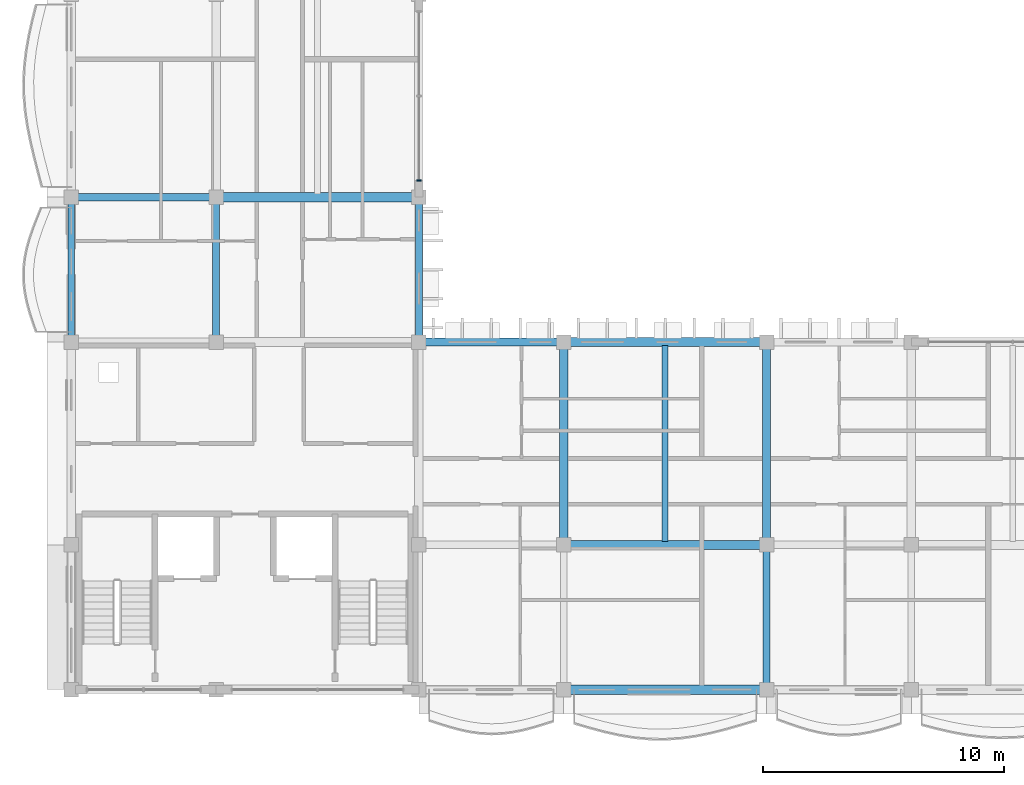
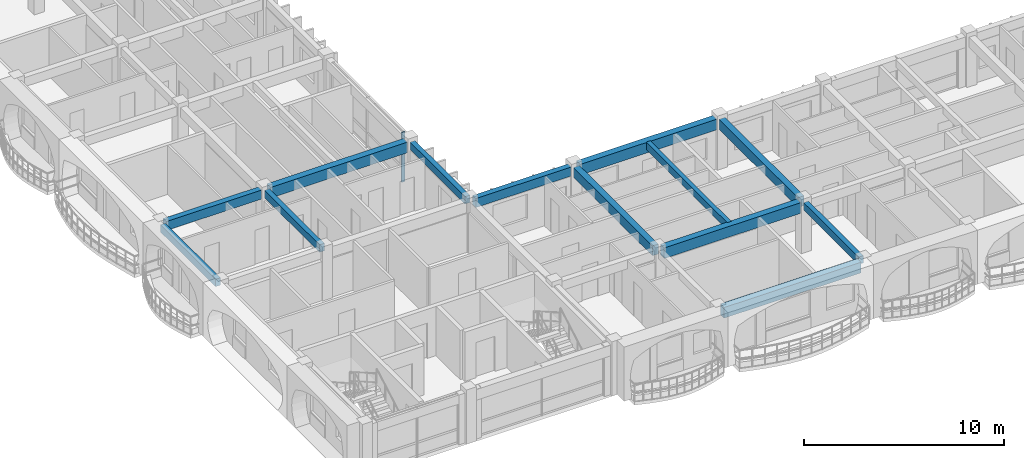
# One storey, part 4 of 79: 13 beams, 1 member, 1 element without a shape of its own.
"""IFC4 building model written with IfcOpenShell, lengths in metres."""

from ifc_helpers import new_model, si_unit, direction, frame, origin, origin_2d, place, context, subcontext, project, spatial, rectangle, extrude, material, material_profile, profile_set, type_object, element, aggregate, save


model = new_model("IFC4")

# Units and contexts
model_context = context("Model", 3, precision=1e-05, world=origin(), true_north=direction((0.0, 1.0)))
body_context = subcontext(model_context, "Body", "Model", "MODEL_VIEW")
ifc_project = project(units=[si_unit("LENGTHUNIT", "METRE"), si_unit("AREAUNIT", "SQUARE_METRE"), si_unit("VOLUMEUNIT", "CUBIC_METRE"), si_unit("PLANEANGLEUNIT", "RADIAN"), si_unit("MASSUNIT", "GRAM", prefix="KILO"), si_unit("THERMODYNAMICTEMPERATUREUNIT", "KELVIN")], contexts=[model_context])

# Site, building, storey
site_placement = place(None, origin())
site = spatial("IfcSite", under=ifc_project, at=site_placement, CompositionType="ELEMENT")
building_placement = place(site_placement, origin())
building = spatial("IfcBuilding", under=site, at=building_placement, Name="Thalorik Housing Commons", CompositionType="ELEMENT")
storey_placement = place(building_placement, frame((0.0, 0.0, 11.39990234375)))
storey = spatial("IfcBuildingStorey", under=building, at=storey_placement, Name="L03", CompositionType="ELEMENT", Elevation=11.39990234375)

# Curtain wall, member
ifc_material_1 = material(Name="Anodised aluminium and solar-control low-E glass", Category="aluminium")
curtain_wall_type = type_object("IfcCurtainWallType", Name="ARC-CW-LOUNGE", PredefinedType="USERDEFINED", material=ifc_material_1)
curtain_wall_placement = place(storey_placement, origin())
curtain_wall = element("IfcCurtainWall", 1, at=curtain_wall_placement, inside=storey, type_object=curtain_wall_type, Name="L03 Curtain Wall CW-RES-L03-C-137", ObjectType="CURTAIN WALL", PredefinedType="USERDEFINED")
ifc_material_2 = material(Name="Anodised aluminium 6063-T6", Category="aluminium")
ifc_material_profile_1 = material_profile(ifc_material_2, rectangle(XDim=0.06494140625, YDim=0.179931640625, at=origin_2d()), Name="ALU MUL 65x180", Category="aluminium")
ifc_profile_set_1 = profile_set([ifc_material_profile_1], Name="Anodised aluminium 6063-T6")
member_type = type_object("IfcMemberType", Name="ARC-CW-MUL-65x180", PredefinedType="MULLION", material=ifc_profile_set_1)
member_placement = place(storey_placement, frame((22.800048828125, 29.5, 0.0), z_axis=(0.0, 0.0, 1.0), x_axis=(0.0, 1.0, 0.0)))
member = element("IfcMember", 2, at=member_placement, type_object=member_type, Name="CW-RES-L03-C-137 Mullion 1", PredefinedType="MULLION", context=body_context, shape_type="SweptSolid", body=[
    extrude(rectangle(XDim=0.06494140625, YDim=0.179931640625, at=origin_2d()), origin(), (0.0, 0.0, 1.0), 3.0400390625),
])
aggregate(curtain_wall, [member])

# Beams
ifc_material_3 = material(Name="Precast concrete C40/50", Category="concrete")
ifc_material_profile_2 = material_profile(ifc_material_3, rectangle(XDim=0.280029296875, YDim=0.449951171875, at=origin_2d()), Name="PC 280x450", Category="concrete")
ifc_profile_set_2 = profile_set([ifc_material_profile_2], Name="Precast concrete C40/50")
beam_type_1 = type_object("IfcBeamType", Name="STR-BM-PC280x450", PredefinedType="BEAM", material=ifc_profile_set_2)
for number, where, z_axis, x_axis, name in (
    (3, (8.39990234375, 23.050048828125, 2.815185546875), (0.0, 1.0, 0.0), (-1.0, 0.0, 0.0), "L03 Beam B-450"),
    (4, (14.39990234375, 23.050048828125, 2.815185546875), (0.0, 1.0, 0.0), (-1.0, 0.0, 0.0), "L03 Beam B-450"),
    (5, (22.800048828125, 23.050048828125, 2.815185546875), (0.0, 1.0, 0.0), (-1.0, 0.0, 0.0), "L03 Beam B-450"),
    (6, (37.199951171875, 8.64990234375, 2.815185546875), (0.0, 1.0, 0.0), (-1.0, 0.0, 0.0), "L03 Beam B-450"),
):
    element("IfcBeam", number, at=place(storey_placement, frame(where, z_axis=z_axis, x_axis=x_axis)), inside=storey, type_object=beam_type_1, Name=name, PredefinedType="BEAM", context=body_context, shape_type="SweptSolid", body=[
        extrude(rectangle(XDim=0.280029296875, YDim=0.449951171875, at=origin_2d()), origin(), (0.0, 0.0, 1.0), 5.5),
    ])
ifc_material_profile_3 = material_profile(ifc_material_3, rectangle(XDim=0.320068359375, YDim=0.550048828125, at=origin_2d()), Name="PC 320x550", Category="concrete")
ifc_profile_set_3 = profile_set([ifc_material_profile_3], Name="Precast concrete C40/50")
beam_type_2 = type_object("IfcBeamType", Name="STR-BM-PC320x550", PredefinedType="BEAM", material=ifc_profile_set_3)
for number, where, z_axis, x_axis, name in (
    (7, (23.050048828125, 22.800048828125, 2.76513671875), (1.0, 0.0, 0.0), (0.0, 1.0, 0.0), "L03 Beam B-550"),
    (8, (8.64990234375, 28.800048828125, 2.76513671875), (1.0, 0.0, 0.0), (0.0, 1.0, 0.0), "L03 Beam B-550"),
):
    element("IfcBeam", number, at=place(storey_placement, frame(where, z_axis=z_axis, x_axis=x_axis)), inside=storey, type_object=beam_type_2, Name=name, PredefinedType="BEAM", context=body_context, shape_type="SweptSolid", body=[
        extrude(rectangle(XDim=0.320068359375, YDim=0.550048828125, at=origin_2d()), origin(), (0.0, 0.0, 1.0), 5.5),
    ])
ifc_material_profile_4 = material_profile(ifc_material_3, rectangle(XDim=0.35009765625, YDim=0.60009765625, at=origin_2d()), Name="PC 350x600", Category="concrete")
ifc_profile_set_4 = profile_set([ifc_material_profile_4], Name="Precast concrete C40/50")
beam_type_3 = type_object("IfcBeamType", Name="STR-BM-PC350x600", PredefinedType="BEAM", material=ifc_profile_set_4)
for number, where, z_axis, x_axis, name in (
    (9, (28.800048828125, 14.64990234375, 2.739990234375), (0.0, 1.0, 0.0), (-1.0, 0.0, 0.0), "L03 Beam B-600"),
    (10, (37.199951171875, 14.64990234375, 2.739990234375), (0.0, 1.0, 0.0), (-1.0, 0.0, 0.0), "L03 Beam B-600"),
):
    element("IfcBeam", number, at=place(storey_placement, frame(where, z_axis=z_axis, x_axis=x_axis)), inside=storey, type_object=beam_type_3, Name=name, PredefinedType="BEAM", context=body_context, shape_type="SweptSolid", body=[
        extrude(rectangle(XDim=0.35009765625, YDim=0.60009765625, at=origin_2d()), origin(), (0.0, 0.0, 1.0), 7.900146484375),
    ])
ifc_material_profile_5 = material_profile(ifc_material_3, rectangle(XDim=0.3798828125, YDim=0.64990234375, at=origin_2d()), Name="PC 380x650", Category="concrete")
ifc_profile_set_5 = profile_set([ifc_material_profile_5], Name="Precast concrete C40/50")
beam_type_4 = type_object("IfcBeamType", Name="STR-BM-PC380x650", PredefinedType="BEAM", material=ifc_profile_set_5)
for number, where, z_axis, x_axis, name in (
    (11, (29.050048828125, 8.39990234375, 2.715087890625), (1.0, 0.0, 0.0), (0.0, 1.0, 0.0), "L03 Beam B-650"),
    (12, (29.050048828125, 14.39990234375, 2.715087890625), (1.0, 0.0, 0.0), (0.0, 1.0, 0.0), "L03 Beam B-650"),
    (13, (29.050048828125, 22.800048828125, 2.715087890625), (1.0, 0.0, 0.0), (0.0, 1.0, 0.0), "L03 Beam B-650"),
):
    element("IfcBeam", number, at=place(storey_placement, frame(where, z_axis=z_axis, x_axis=x_axis)), inside=storey, type_object=beam_type_4, Name=name, PredefinedType="BEAM", context=body_context, shape_type="SweptSolid", body=[
        extrude(rectangle(XDim=0.3798828125, YDim=0.64990234375, at=origin_2d()), origin(), (0.0, 0.0, 1.0), 7.89990234375),
    ])
beam_1_placement = place(storey_placement, frame((14.64990234375, 28.800048828125, 2.715087890625), z_axis=(1.0, 0.0, 0.0), x_axis=(0.0, 1.0, 0.0)))
element("IfcBeam", 14, at=beam_1_placement, inside=storey, type_object=beam_type_4, Name="L03 Beam B-650", PredefinedType="BEAM", context=body_context, shape_type="SweptSolid", body=[
    extrude(rectangle(XDim=0.3798828125, YDim=0.64990234375, at=origin_2d()), origin(), (0.0, 0.0, 1.0), 7.900146484375),
])
ifc_material_profile_6 = material_profile(ifc_material_3, rectangle(XDim=0.239990234375, YDim=0.43994140625, at=origin_2d()), Name="PC JST 240x440", Category="concrete")
ifc_profile_set_6 = profile_set([ifc_material_profile_6], Name="Precast concrete C40/50")
beam_type_5 = type_object("IfcBeamType", Name="STR-JST-PC240x440", PredefinedType="JOIST", material=ifc_profile_set_6)
beam_2_placement = place(storey_placement, frame((33.0, 14.5400390625, 2.820068359375), z_axis=(0.0, 1.0, 0.0), x_axis=(-1.0, 0.0, 0.0)))
element("IfcBeam", 15, at=beam_2_placement, inside=storey, type_object=beam_type_5, Name="L03 Beam J-440", PredefinedType="JOIST", context=body_context, shape_type="SweptSolid", body=[
    extrude(rectangle(XDim=0.239990234375, YDim=0.43994140625, at=origin_2d()), origin(), (0.0, 0.0, 1.0), 8.119873046875),
])

save(model, "model.ifc")
